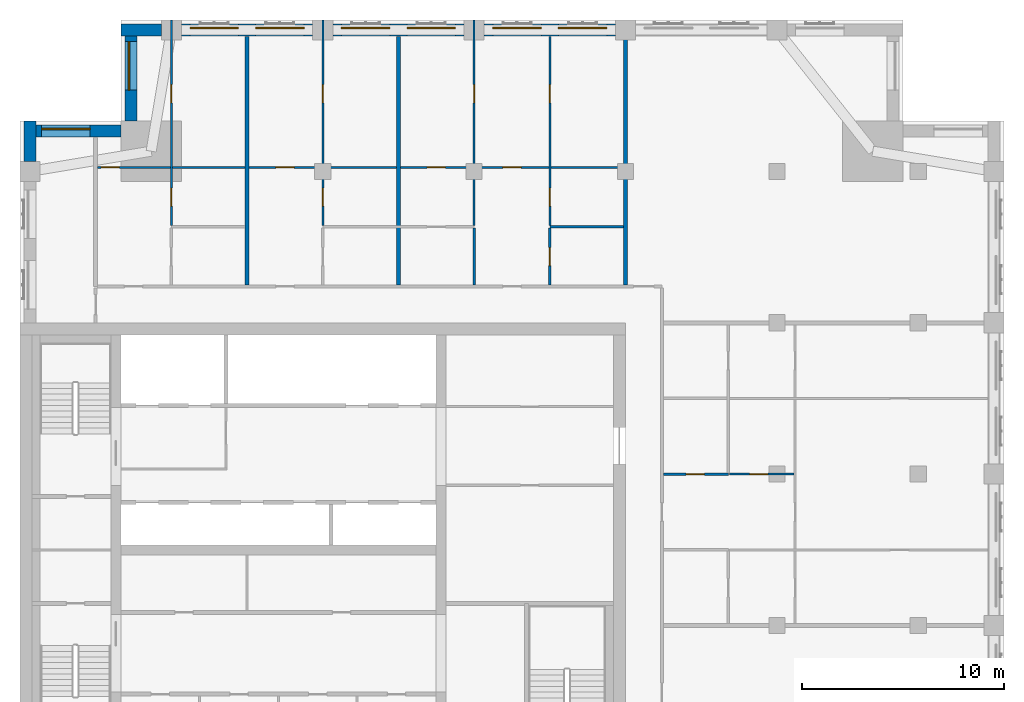
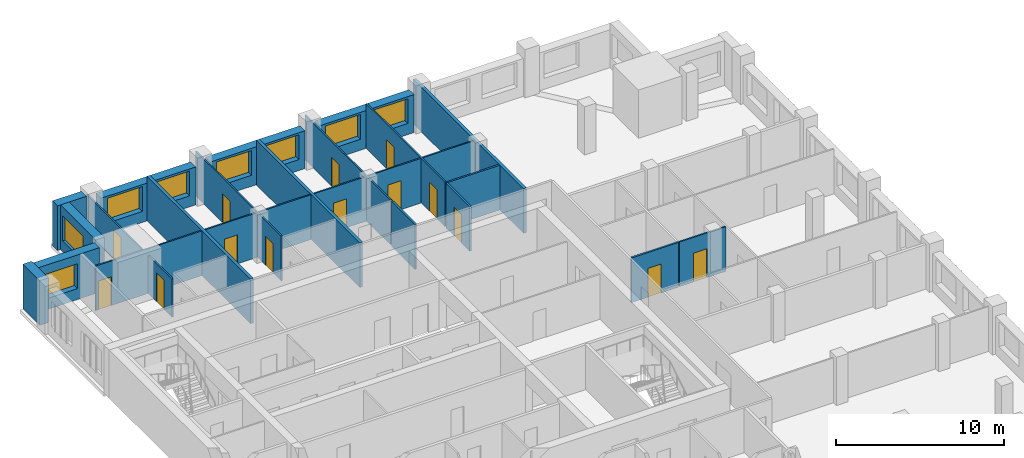
# One storey, part 7 of 11: 20 walls, 14 doors, 8 windows, 22 openings.
"""IFC4 building model written with IfcOpenShell, lengths in metres."""

from ifc_helpers import new_model, si_unit, direction, frame, frame_2d, origin, place, context, subcontext, project, spatial, rectangle, extrude, material, layer, layer_set, type_object, element, fill, save


model = new_model("IFC4")

# Units and contexts
model_context = context("Model", 3, precision=1e-05, world=origin(), true_north=direction((0.0, 1.0)))
body_context = subcontext(model_context, "Body", "Model", "MODEL_VIEW")
ifc_project = project(units=[si_unit("LENGTHUNIT", "METRE"), si_unit("AREAUNIT", "SQUARE_METRE"), si_unit("VOLUMEUNIT", "CUBIC_METRE"), si_unit("PLANEANGLEUNIT", "RADIAN"), si_unit("MASSUNIT", "GRAM", prefix="KILO")], contexts=[model_context])

# Site, building, storey
site_placement = place(None, origin())
site = spatial("IfcSite", under=ifc_project, at=site_placement, CompositionType="ELEMENT")
building_placement = place(site_placement, origin())
building = spatial("IfcBuilding", under=site, at=building_placement, Name="Tamorin Gate", CompositionType="ELEMENT")
storey_placement = place(building_placement, frame((0.0, 0.0, 244.199951171875)))
storey = spatial("IfcBuildingStorey", under=building, at=storey_placement, Name="L61", CompositionType="ELEMENT", Elevation=244.199951171875)

# Wall, openings, windows
ifc_material_1 = material(Name="Precast concrete C40/50", Category="concrete")
ifc_layer_1 = layer(ifc_material_1, 0.60009765625)
ifc_layer_set_1 = layer_set([ifc_layer_1], Name="Precast concrete C40/50")
wall_type_1 = type_object("IfcWallType", Name="Board-marked concrete facade panel 600", PredefinedType="SOLIDWALL", material=ifc_layer_set_1)
wall_1_placement = place(storey_placement, frame((59.5, 97.0, 0.0), z_axis=(0.0, 0.0, 1.0), x_axis=(-1.0, 0.0, 0.0)))
wall_1 = element("IfcWall", 1, at=wall_1_placement, inside=storey, type_object=wall_type_1, Name="Facade panel", PredefinedType="SOLIDWALL", context=body_context, shape_type="SweptSolid", body=[
    extrude(rectangle(XDim=6.5, YDim=0.60009765625, at=frame_2d((3.25, 0.0))), origin(), (0.0, 0.0, 1.0), 2.75),
])
opening_1_placement = place(wall_1_placement, frame((3.675048828125, 0.0, 0.800048828125)))
opening_1 = element("IfcOpeningElement", 2, at=opening_1_placement, cuts=wall_1, Name="Opening WN1", PredefinedType="OPENING", context=body_context, shape_type="SweptSolid", body=[
    extrude(rectangle(XDim=2.39990234375, YDim=1.800048828125, at=frame_2d((1.199951171875, 0.89990234375))), frame((0.0, 0.31005859375, 0.0), z_axis=(0.0, -1.0, 0.0), x_axis=(1.0, 0.0, 0.0)), (0.0, 0.0, 1.0), 0.6201171875),
])
opening_2_placement = place(wall_1_placement, frame((0.425048828125, 0.0, 0.800048828125)))
opening_2 = element("IfcOpeningElement", 3, at=opening_2_placement, cuts=wall_1, Name="Opening WN1", PredefinedType="OPENING", context=body_context, shape_type="SweptSolid", body=[
    extrude(rectangle(XDim=2.39990234375, YDim=1.800048828125, at=frame_2d((1.199951171875, 0.89990234375))), frame((0.0, 0.31005859375, 0.0), z_axis=(0.0, -1.0, 0.0), x_axis=(1.0, 0.0, 0.0)), (0.0, 0.0, 1.0), 0.6201171875),
])
ifc_material_2 = material(Name="Clear glass in aluminium frame", Category="aluminium")
window_type = type_object("IfcWindowType", Name="Deep-set window 2400x1800", PartitioningType="SINGLE_PANEL", PredefinedType="WINDOW", material=ifc_material_2)
window_1_placement = place(opening_1_placement, origin())
window_1 = element("IfcWindow", 4, at=window_1_placement, inside=storey, type_object=window_type, Name="Deep-set window", OverallHeight=1.800048828125, OverallWidth=2.39990234375, PartitioningType="SINGLE_PANEL", PredefinedType="WINDOW", context=body_context, shape_type="SweptSolid", body=[
    extrude(rectangle(XDim=2.39990234375, YDim=1.800048828125, at=frame_2d((1.199951171875, 0.89990234375))), frame((0.0, -0.070068359375, 0.0), z_axis=(0.0, -1.0, 0.0), x_axis=(1.0, 0.0, 0.0)), (0.0, 0.0, 1.0), 0.06005859375),
])
fill(opening_1, window_1)
window_2_placement = place(opening_2_placement, origin())
window_2 = element("IfcWindow", 5, at=window_2_placement, inside=storey, type_object=window_type, Name="Deep-set window", OverallHeight=1.800048828125, OverallWidth=2.39990234375, PartitioningType="SINGLE_PANEL", PredefinedType="WINDOW", context=body_context, shape_type="SweptSolid", body=[
    extrude(rectangle(XDim=2.39990234375, YDim=1.800048828125, at=frame_2d((1.199951171875, 0.89990234375))), frame((0.0, -0.070068359375, 0.0), z_axis=(0.0, -1.0, 0.0), x_axis=(1.0, 0.0, 0.0)), (0.0, 0.0, 1.0), 0.06005859375),
])
fill(opening_2, window_2)

wall_2_placement = place(storey_placement, frame((52.0, 97.0, 0.0), z_axis=(0.0, 0.0, 1.0), x_axis=(-1.0, 0.0, 0.0)))
wall_2 = element("IfcWall", 6, at=wall_2_placement, inside=storey, type_object=wall_type_1, Name="Facade panel", PredefinedType="SOLIDWALL", context=body_context, shape_type="SweptSolid", body=[
    extrude(rectangle(XDim=6.5, YDim=0.60009765625, at=frame_2d((3.25, 0.0))), origin(), (0.0, 0.0, 1.0), 2.75),
])
opening_3_placement = place(wall_2_placement, frame((3.675048828125, 0.0, 0.800048828125)))
opening_3 = element("IfcOpeningElement", 7, at=opening_3_placement, cuts=wall_2, Name="Opening WN1", PredefinedType="OPENING", context=body_context, shape_type="SweptSolid", body=[
    extrude(rectangle(XDim=2.39990234375, YDim=1.800048828125, at=frame_2d((1.199951171875, 0.89990234375))), frame((0.0, 0.31005859375, 0.0), z_axis=(0.0, -1.0, 0.0), x_axis=(1.0, 0.0, 0.0)), (0.0, 0.0, 1.0), 0.6201171875),
])
opening_4_placement = place(wall_2_placement, frame((0.425048828125, 0.0, 0.800048828125)))
opening_4 = element("IfcOpeningElement", 8, at=opening_4_placement, cuts=wall_2, Name="Opening WN1", PredefinedType="OPENING", context=body_context, shape_type="SweptSolid", body=[
    extrude(rectangle(XDim=2.39990234375, YDim=1.800048828125, at=frame_2d((1.199951171875, 0.89990234375))), frame((0.0, 0.31005859375, 0.0), z_axis=(0.0, -1.0, 0.0), x_axis=(1.0, 0.0, 0.0)), (0.0, 0.0, 1.0), 0.6201171875),
])
window_3_placement = place(opening_3_placement, origin())
window_3 = element("IfcWindow", 9, at=window_3_placement, inside=storey, type_object=window_type, Name="Deep-set window", OverallHeight=1.800048828125, OverallWidth=2.39990234375, PartitioningType="SINGLE_PANEL", PredefinedType="WINDOW", context=body_context, shape_type="SweptSolid", body=[
    extrude(rectangle(XDim=2.39990234375, YDim=1.800048828125, at=frame_2d((1.199951171875, 0.89990234375))), frame((0.0, -0.070068359375, 0.0), z_axis=(0.0, -1.0, 0.0), x_axis=(1.0, 0.0, 0.0)), (0.0, 0.0, 1.0), 0.06005859375),
])
fill(opening_3, window_3)
window_4_placement = place(opening_4_placement, origin())
window_4 = element("IfcWindow", 10, at=window_4_placement, inside=storey, type_object=window_type, Name="Deep-set window", OverallHeight=1.800048828125, OverallWidth=2.39990234375, PartitioningType="SINGLE_PANEL", PredefinedType="WINDOW", context=body_context, shape_type="SweptSolid", body=[
    extrude(rectangle(XDim=2.39990234375, YDim=1.800048828125, at=frame_2d((1.199951171875, 0.89990234375))), frame((0.0, -0.070068359375, 0.0), z_axis=(0.0, -1.0, 0.0), x_axis=(1.0, 0.0, 0.0)), (0.0, 0.0, 1.0), 0.06005859375),
])
fill(opening_4, window_4)

wall_3_placement = place(storey_placement, frame((44.5, 97.0, 0.0), z_axis=(0.0, 0.0, 1.0), x_axis=(-1.0, 0.0, 0.0)))
wall_3 = element("IfcWall", 11, at=wall_3_placement, inside=storey, type_object=wall_type_1, Name="Facade panel", PredefinedType="SOLIDWALL", context=body_context, shape_type="SweptSolid", body=[
    extrude(rectangle(XDim=6.5, YDim=0.60009765625, at=frame_2d((3.25, 0.0))), origin(), (0.0, 0.0, 1.0), 2.75),
])
opening_5_placement = place(wall_3_placement, frame((3.675048828125, 0.0, 0.800048828125)))
opening_5 = element("IfcOpeningElement", 12, at=opening_5_placement, cuts=wall_3, Name="Opening WN1", PredefinedType="OPENING", context=body_context, shape_type="SweptSolid", body=[
    extrude(rectangle(XDim=2.39990234375, YDim=1.800048828125, at=frame_2d((1.199951171875, 0.89990234375))), frame((0.0, 0.31005859375, 0.0), z_axis=(0.0, -1.0, 0.0), x_axis=(1.0, 0.0, 0.0)), (0.0, 0.0, 1.0), 0.6201171875),
])
opening_6_placement = place(wall_3_placement, frame((0.425048828125, 0.0, 0.800048828125)))
opening_6 = element("IfcOpeningElement", 13, at=opening_6_placement, cuts=wall_3, Name="Opening WN1", PredefinedType="OPENING", context=body_context, shape_type="SweptSolid", body=[
    extrude(rectangle(XDim=2.39990234375, YDim=1.800048828125, at=frame_2d((1.199951171875, 0.89990234375))), frame((0.0, 0.31005859375, 0.0), z_axis=(0.0, -1.0, 0.0), x_axis=(1.0, 0.0, 0.0)), (0.0, 0.0, 1.0), 0.6201171875),
])
window_5_placement = place(opening_5_placement, origin())
window_5 = element("IfcWindow", 14, at=window_5_placement, inside=storey, type_object=window_type, Name="Deep-set window", OverallHeight=1.800048828125, OverallWidth=2.39990234375, PartitioningType="SINGLE_PANEL", PredefinedType="WINDOW", context=body_context, shape_type="SweptSolid", body=[
    extrude(rectangle(XDim=2.39990234375, YDim=1.800048828125, at=frame_2d((1.199951171875, 0.89990234375))), frame((0.0, -0.070068359375, 0.0), z_axis=(0.0, -1.0, 0.0), x_axis=(1.0, 0.0, 0.0)), (0.0, 0.0, 1.0), 0.06005859375),
])
fill(opening_5, window_5)
window_6_placement = place(opening_6_placement, origin())
window_6 = element("IfcWindow", 15, at=window_6_placement, inside=storey, type_object=window_type, Name="Deep-set window", OverallHeight=1.800048828125, OverallWidth=2.39990234375, PartitioningType="SINGLE_PANEL", PredefinedType="WINDOW", context=body_context, shape_type="SweptSolid", body=[
    extrude(rectangle(XDim=2.39990234375, YDim=1.800048828125, at=frame_2d((1.199951171875, 0.89990234375))), frame((0.0, -0.070068359375, 0.0), z_axis=(0.0, -1.0, 0.0), x_axis=(1.0, 0.0, 0.0)), (0.0, 0.0, 1.0), 0.06005859375),
])
fill(opening_6, window_6)

# Wall
wall_4_placement = place(storey_placement, frame((37.0, 97.0, 0.0), z_axis=(0.0, 0.0, 1.0), x_axis=(-1.0, 0.0, 0.0)))
element("IfcWall", 16, at=wall_4_placement, inside=storey, type_object=wall_type_1, Name="Facade panel", PredefinedType="SOLIDWALL", context=body_context, shape_type="SweptSolid", body=[
    extrude(rectangle(XDim=2.0, YDim=0.60009765625, at=frame_2d((1.0, 0.0))), origin(), (0.0, 0.0, 1.0), 3.25),
])

# Wall, opening, window
wall_5_placement = place(storey_placement, frame((35.5, 96.699951171875, 0.0), z_axis=(0.0, 0.0, 1.0), x_axis=(0.0, -1.0, 0.0)))
wall_5 = element("IfcWall", 17, at=wall_5_placement, inside=storey, type_object=wall_type_1, Name="Facade panel", PredefinedType="SOLIDWALL", context=body_context, shape_type="SweptSolid", body=[
    extrude(rectangle(XDim=4.199951171875, YDim=0.60009765625, at=frame_2d((2.10009765625, 0.0))), origin(), (0.0, 0.0, 1.0), 3.25),
])
opening_7_placement = place(wall_5_placement, frame((0.27490234375, 0.0, 0.800048828125)))
opening_7 = element("IfcOpeningElement", 18, at=opening_7_placement, cuts=wall_5, Name="Opening WN1", PredefinedType="OPENING", context=body_context, shape_type="SweptSolid", body=[
    extrude(rectangle(XDim=2.39990234375, YDim=1.800048828125, at=frame_2d((1.199951171875, 0.89990234375))), frame((0.0, 0.31005859375, 0.0), z_axis=(0.0, -1.0, 0.0), x_axis=(1.0, 0.0, 0.0)), (0.0, 0.0, 1.0), 0.6201171875),
])
window_7_placement = place(opening_7_placement, origin())
window_7 = element("IfcWindow", 19, at=window_7_placement, inside=storey, type_object=window_type, Name="Deep-set window", OverallHeight=1.800048828125, OverallWidth=2.39990234375, PartitioningType="SINGLE_PANEL", PredefinedType="WINDOW", context=body_context, shape_type="SweptSolid", body=[
    extrude(rectangle(XDim=2.39990234375, YDim=1.800048828125, at=frame_2d((1.199951171875, 0.89990234375))), frame((0.0, -0.070068359375, 0.0), z_axis=(0.0, -1.0, 0.0), x_axis=(1.0, 0.0, 0.0)), (0.0, 0.0, 1.0), 0.06005859375),
])
fill(opening_7, window_7)

wall_6_placement = place(storey_placement, frame((35.0, 92.0, 0.0), z_axis=(0.0, 0.0, 1.0), x_axis=(-1.0, 0.0, 0.0)))
wall_6 = element("IfcWall", 20, at=wall_6_placement, inside=storey, type_object=wall_type_1, Name="Facade panel", PredefinedType="SOLIDWALL", context=body_context, shape_type="SweptSolid", body=[
    extrude(rectangle(XDim=4.199951171875, YDim=0.60009765625, at=frame_2d((2.10009765625, 0.0))), origin(), (0.0, 0.0, 1.0), 3.25),
])
opening_8_placement = place(wall_6_placement, frame((1.52490234375, 0.0, 0.800048828125)))
opening_8 = element("IfcOpeningElement", 21, at=opening_8_placement, cuts=wall_6, Name="Opening WN1", PredefinedType="OPENING", context=body_context, shape_type="SweptSolid", body=[
    extrude(rectangle(XDim=2.39990234375, YDim=1.800048828125, at=frame_2d((1.199951171875, 0.89990234375))), frame((0.0, 0.31005859375, 0.0), z_axis=(0.0, -1.0, 0.0), x_axis=(1.0, 0.0, 0.0)), (0.0, 0.0, 1.0), 0.6201171875),
])
window_8_placement = place(opening_8_placement, origin())
window_8 = element("IfcWindow", 22, at=window_8_placement, inside=storey, type_object=window_type, Name="Deep-set window", OverallHeight=1.800048828125, OverallWidth=2.39990234375, PartitioningType="SINGLE_PANEL", PredefinedType="WINDOW", context=body_context, shape_type="SweptSolid", body=[
    extrude(rectangle(XDim=2.39990234375, YDim=1.800048828125, at=frame_2d((1.199951171875, 0.89990234375))), frame((0.0, -0.070068359375, 0.0), z_axis=(0.0, -1.0, 0.0), x_axis=(1.0, 0.0, 0.0)), (0.0, 0.0, 1.0), 0.06005859375),
])
fill(opening_8, window_8)

# Walls
wall_7_placement = place(storey_placement, frame((30.5, 92.5, 0.0), z_axis=(0.0, 0.0, 1.0), x_axis=(0.0, -1.0, 0.0)))
element("IfcWall", 23, at=wall_7_placement, inside=storey, type_object=wall_type_1, Name="Facade panel", PredefinedType="SOLIDWALL", context=body_context, shape_type="SweptSolid", body=[
    extrude(rectangle(XDim=2.0, YDim=0.60009765625, at=frame_2d((1.0, 0.0))), origin(), (0.0, 0.0, 1.0), 3.25),
])
ifc_material_3 = material(Name="Gypsum board partition")
ifc_layer_2 = layer(ifc_material_3, 0.199951171875)
ifc_layer_set_2 = layer_set([ifc_layer_2], Name="Demising wall 200")
wall_type_2 = type_object("IfcWallType", Name="Demising wall 200", PredefinedType="PARTITIONING", material=ifc_layer_set_2)
for number, where, z_axis, x_axis, name in (
    (24, (41.25, 84.375, 0.0), (0.0, 0.0, 1.0), (0.0, 1.0, 0.0), "Demising wall 200"),
    (25, (48.75, 84.375, 0.0), (0.0, 0.0, 1.0), (0.0, 1.0, 0.0), "Demising wall 200"),
):
    element("IfcWall", number, at=place(storey_placement, frame(where, z_axis=z_axis, x_axis=x_axis)), inside=storey, type_object=wall_type_2, Name=name, PredefinedType="PARTITIONING", context=body_context, shape_type="SweptSolid", body=[
        extrude(rectangle(XDim=12.31494140625, YDim=0.199951171875, at=frame_2d((6.157470703125, 0.0))), origin(), (0.0, 0.0, 1.0), 3.25),
    ])
wall_8_placement = place(storey_placement, frame((60.0, 84.375, 0.0), z_axis=(0.0, 0.0, 1.0), x_axis=(0.0, 1.0, 0.0)))
element("IfcWall", 26, at=wall_8_placement, inside=storey, type_object=wall_type_2, Name="Demising wall 200", PredefinedType="PARTITIONING", context=body_context, shape_type="SweptSolid", body=[
    extrude(rectangle(XDim=13.125, YDim=0.199951171875, at=frame_2d((6.5625, 0.0))), origin(), (0.0, 0.0, 1.0), 3.25),
])

# Wall, opening, door
ifc_layer_3 = layer(ifc_material_3, 0.10009765625)
ifc_layer_set_3 = layer_set([ifc_layer_3], Name="Room partition 100")
wall_type_3 = type_object("IfcWallType", Name="Room partition 100", PredefinedType="PARTITIONING", material=ifc_layer_set_3)
wall_9_placement = place(storey_placement, frame((65.16259765625, 75.0, 0.0), z_axis=(0.0, 0.0, 1.0), x_axis=(1.0, 0.0, 0.0)))
wall_9 = element("IfcWall", 27, at=wall_9_placement, inside=storey, type_object=wall_type_3, Name="Room partition 100", PredefinedType="PARTITIONING", context=body_context, shape_type="SweptSolid", body=[
    extrude(rectangle(XDim=3.1875, YDim=0.10009765625, at=frame_2d((1.59375, 0.0))), origin(), (0.0, 0.0, 1.0), 3.25),
])
opening_9_placement = place(wall_9_placement, frame((0.987548828125, 0.0, 0.0)))
opening_9 = element("IfcOpeningElement", 28, at=opening_9_placement, cuts=wall_9, Name="Opening DR7046", PredefinedType="OPENING", context=body_context, shape_type="SweptSolid", body=[
    extrude(rectangle(XDim=0.89990234375, YDim=2.10009765625, at=frame_2d((0.449951171875, 1.050048828125))), frame((0.0, 0.06005859375, 0.0), z_axis=(0.0, -1.0, 0.0), x_axis=(1.0, 0.0, 0.0)), (0.0, 0.0, 1.0), 0.1201171875),
])
ifc_material_4 = material(Name="Timber door leaf", Category="wood")
door_type = type_object("IfcDoorType", Name="Door 900 x 2100", OperationType="NOTDEFINED", PredefinedType="DOOR", material=ifc_material_4)
door_1_placement = place(opening_9_placement, origin())
door_1 = element("IfcDoor", 29, at=door_1_placement, inside=storey, type_object=door_type, Name="Door DR7046", OperationType="SINGLE_SWING_LEFT", OverallHeight=2.10009765625, OverallWidth=0.89990234375, PredefinedType="DOOR", context=body_context, shape_type="SweptSolid", body=[
    extrude(rectangle(XDim=0.89990234375, YDim=2.10009765625, at=frame_2d((0.449951171875, 1.050048828125))), frame((0.0, 0.02490234375, 0.0), z_axis=(0.0, -1.0, 0.0), x_axis=(1.0, 0.0, 0.0)), (0.0, 0.0, 1.0), 0.050048828125),
])
fill(opening_9, door_1)

# Wall, openings, doors
wall_10_placement = place(storey_placement, frame((33.85009765625, 90.199951171875, 0.0), z_axis=(0.0, 0.0, 1.0), x_axis=(1.0, 0.0, 0.0)))
wall_10 = element("IfcWall", 30, at=wall_10_placement, inside=storey, type_object=wall_type_3, Name="Room partition 100", PredefinedType="PARTITIONING", context=body_context, shape_type="SweptSolid", body=[
    extrude(rectangle(XDim=26.0498046875, YDim=0.10009765625, at=frame_2d((13.02490234375, 0.0))), origin(), (0.0, 0.0, 1.0), 3.25),
])
opening_10_placement = place(wall_10_placement, frame((0.175048828125, 0.0, 0.0)))
opening_10 = element("IfcOpeningElement", 31, at=opening_10_placement, cuts=wall_10, Name="Opening DR7023", PredefinedType="OPENING", context=body_context, shape_type="SweptSolid", body=[
    extrude(rectangle(XDim=0.89990234375, YDim=2.10009765625, at=frame_2d((0.449951171875, 1.050048828125))), frame((0.0, 0.06005859375, 0.0), z_axis=(0.0, -1.0, 0.0), x_axis=(1.0, 0.0, 0.0)), (0.0, 0.0, 1.0), 0.1201171875),
])
opening_11_placement = place(wall_10_placement, frame((8.824951171875, 0.0, 0.0)))
opening_11 = element("IfcOpeningElement", 32, at=opening_11_placement, cuts=wall_10, Name="Opening DR7028", PredefinedType="OPENING", context=body_context, shape_type="SweptSolid", body=[
    extrude(rectangle(XDim=0.89990234375, YDim=2.10009765625, at=frame_2d((0.449951171875, 1.050048828125))), frame((0.0, 0.06005859375, 0.0), z_axis=(0.0, -1.0, 0.0), x_axis=(1.0, 0.0, 0.0)), (0.0, 0.0, 1.0), 0.1201171875),
])
opening_12_placement = place(wall_10_placement, frame((16.324951171875, 0.0, 0.0)))
opening_12 = element("IfcOpeningElement", 33, at=opening_12_placement, cuts=wall_10, Name="Opening DR7032", PredefinedType="OPENING", context=body_context, shape_type="SweptSolid", body=[
    extrude(rectangle(XDim=0.89990234375, YDim=2.10009765625, at=frame_2d((0.449951171875, 1.050048828125))), frame((0.0, 0.06005859375, 0.0), z_axis=(0.0, -1.0, 0.0), x_axis=(1.0, 0.0, 0.0)), (0.0, 0.0, 1.0), 0.1201171875),
])
opening_13_placement = place(wall_10_placement, frame((20.074951171875, 0.0, 0.0)))
opening_13 = element("IfcOpeningElement", 34, at=opening_13_placement, cuts=wall_10, Name="Opening DR7035", PredefinedType="OPENING", context=body_context, shape_type="SweptSolid", body=[
    extrude(rectangle(XDim=0.89990234375, YDim=2.10009765625, at=frame_2d((0.449951171875, 1.050048828125))), frame((0.0, 0.06005859375, 0.0), z_axis=(0.0, -1.0, 0.0), x_axis=(1.0, 0.0, 0.0)), (0.0, 0.0, 1.0), 0.1201171875),
])
door_2_placement = place(opening_10_placement, origin())
door_2 = element("IfcDoor", 35, at=door_2_placement, inside=storey, type_object=door_type, Name="Door DR7023", OperationType="SINGLE_SWING_RIGHT", OverallHeight=2.10009765625, OverallWidth=0.89990234375, PredefinedType="DOOR", context=body_context, shape_type="SweptSolid", body=[
    extrude(rectangle(XDim=0.89990234375, YDim=2.10009765625, at=frame_2d((0.449951171875, 1.050048828125))), frame((0.0, 0.02490234375, 0.0), z_axis=(0.0, -1.0, 0.0), x_axis=(1.0, 0.0, 0.0)), (0.0, 0.0, 1.0), 0.050048828125),
])
fill(opening_10, door_2)
door_3_placement = place(opening_11_placement, origin())
door_3 = element("IfcDoor", 36, at=door_3_placement, inside=storey, type_object=door_type, Name="Door DR7028", OperationType="SINGLE_SWING_RIGHT", OverallHeight=2.10009765625, OverallWidth=0.89990234375, PredefinedType="DOOR", context=body_context, shape_type="SweptSolid", body=[
    extrude(rectangle(XDim=0.89990234375, YDim=2.10009765625, at=frame_2d((0.449951171875, 1.050048828125))), frame((0.0, 0.02490234375, 0.0), z_axis=(0.0, -1.0, 0.0), x_axis=(1.0, 0.0, 0.0)), (0.0, 0.0, 1.0), 0.050048828125),
])
fill(opening_11, door_3)
door_4_placement = place(opening_12_placement, origin())
door_4 = element("IfcDoor", 37, at=door_4_placement, inside=storey, type_object=door_type, Name="Door DR7032", OperationType="SINGLE_SWING_RIGHT", OverallHeight=2.10009765625, OverallWidth=0.89990234375, PredefinedType="DOOR", context=body_context, shape_type="SweptSolid", body=[
    extrude(rectangle(XDim=0.89990234375, YDim=2.10009765625, at=frame_2d((0.449951171875, 1.050048828125))), frame((0.0, 0.02490234375, 0.0), z_axis=(0.0, -1.0, 0.0), x_axis=(1.0, 0.0, 0.0)), (0.0, 0.0, 1.0), 0.050048828125),
])
fill(opening_12, door_4)
door_5_placement = place(opening_13_placement, origin())
door_5 = element("IfcDoor", 38, at=door_5_placement, inside=storey, type_object=door_type, Name="Door DR7035", OperationType="SINGLE_SWING_RIGHT", OverallHeight=2.10009765625, OverallWidth=0.89990234375, PredefinedType="DOOR", context=body_context, shape_type="SweptSolid", body=[
    extrude(rectangle(XDim=0.89990234375, YDim=2.10009765625, at=frame_2d((0.449951171875, 1.050048828125))), frame((0.0, 0.02490234375, 0.0), z_axis=(0.0, -1.0, 0.0), x_axis=(1.0, 0.0, 0.0)), (0.0, 0.0, 1.0), 0.050048828125),
])
fill(opening_13, door_5)

wall_11_placement = place(storey_placement, frame((37.5, 87.3125, 0.0), z_axis=(0.0, 0.0, 1.0), x_axis=(0.0, 1.0, 0.0)))
wall_11 = element("IfcWall", 39, at=wall_11_placement, inside=storey, type_object=wall_type_3, Name="Room partition 100", PredefinedType="PARTITIONING", context=body_context, shape_type="SweptSolid", body=[
    extrude(rectangle(XDim=10.1875, YDim=0.10009765625, at=frame_2d((5.09375, 0.0))), origin(), (0.0, 0.0, 1.0), 2.75),
])
opening_14_placement = place(wall_11_placement, frame((0.96240234375, 0.0, 0.0)))
opening_14 = element("IfcOpeningElement", 40, at=opening_14_placement, cuts=wall_11, Name="Opening DR7024", PredefinedType="OPENING", context=body_context, shape_type="SweptSolid", body=[
    extrude(rectangle(XDim=0.89990234375, YDim=2.10009765625, at=frame_2d((0.449951171875, 1.050048828125))), frame((0.0, 0.06005859375, 0.0), z_axis=(0.0, -1.0, 0.0), x_axis=(1.0, 0.0, 0.0)), (0.0, 0.0, 1.0), 0.1201171875),
])
opening_15_placement = place(wall_11_placement, frame((6.08740234375, 0.0, 0.0)))
opening_15 = element("IfcOpeningElement", 41, at=opening_15_placement, cuts=wall_11, Name="Opening DR7026", PredefinedType="OPENING", context=body_context, shape_type="SweptSolid", body=[
    extrude(rectangle(XDim=0.89990234375, YDim=2.10009765625, at=frame_2d((0.449951171875, 1.050048828125))), frame((0.0, 0.06005859375, 0.0), z_axis=(0.0, -1.0, 0.0), x_axis=(1.0, 0.0, 0.0)), (0.0, 0.0, 1.0), 0.1201171875),
])
door_6_placement = place(opening_14_placement, origin())
door_6 = element("IfcDoor", 42, at=door_6_placement, inside=storey, type_object=door_type, Name="Door DR7024", OperationType="SINGLE_SWING_RIGHT", OverallHeight=2.10009765625, OverallWidth=0.89990234375, PredefinedType="DOOR", context=body_context, shape_type="SweptSolid", body=[
    extrude(rectangle(XDim=0.89990234375, YDim=2.10009765625, at=frame_2d((0.449951171875, 1.050048828125))), frame((0.0, 0.02490234375, 0.0), z_axis=(0.0, -1.0, 0.0), x_axis=(1.0, 0.0, 0.0)), (0.0, 0.0, 1.0), 0.050048828125),
])
fill(opening_14, door_6)
door_7_placement = place(opening_15_placement, origin())
door_7 = element("IfcDoor", 43, at=door_7_placement, inside=storey, type_object=door_type, Name="Door DR7026", OperationType="SINGLE_SWING_LEFT", OverallHeight=2.10009765625, OverallWidth=0.89990234375, PredefinedType="DOOR", context=body_context, shape_type="SweptSolid", body=[
    extrude(rectangle(XDim=0.89990234375, YDim=2.10009765625, at=frame_2d((0.449951171875, 1.050048828125))), frame((0.0, 0.02490234375, 0.0), z_axis=(0.0, -1.0, 0.0), x_axis=(1.0, 0.0, 0.0)), (0.0, 0.0, 1.0), 0.050048828125),
])
fill(opening_15, door_7)

wall_12_placement = place(storey_placement, frame((45.0, 87.3125, 0.0), z_axis=(0.0, 0.0, 1.0), x_axis=(0.0, 1.0, 0.0)))
wall_12 = element("IfcWall", 44, at=wall_12_placement, inside=storey, type_object=wall_type_3, Name="Room partition 100", PredefinedType="PARTITIONING", context=body_context, shape_type="SweptSolid", body=[
    extrude(rectangle(XDim=10.1875, YDim=0.10009765625, at=frame_2d((5.09375, 0.0))), origin(), (0.0, 0.0, 1.0), 3.25),
])
opening_16_placement = place(wall_12_placement, frame((0.96240234375, 0.0, 0.0)))
opening_16 = element("IfcOpeningElement", 45, at=opening_16_placement, cuts=wall_12, Name="Opening DR7029", PredefinedType="OPENING", context=body_context, shape_type="SweptSolid", body=[
    extrude(rectangle(XDim=0.89990234375, YDim=2.10009765625, at=frame_2d((0.449951171875, 1.050048828125))), frame((0.0, 0.06005859375, 0.0), z_axis=(0.0, -1.0, 0.0), x_axis=(1.0, 0.0, 0.0)), (0.0, 0.0, 1.0), 0.1201171875),
])
opening_17_placement = place(wall_12_placement, frame((6.08740234375, 0.0, 0.0)))
opening_17 = element("IfcOpeningElement", 46, at=opening_17_placement, cuts=wall_12, Name="Opening DR7031", PredefinedType="OPENING", context=body_context, shape_type="SweptSolid", body=[
    extrude(rectangle(XDim=0.89990234375, YDim=2.10009765625, at=frame_2d((0.449951171875, 1.050048828125))), frame((0.0, 0.06005859375, 0.0), z_axis=(0.0, -1.0, 0.0), x_axis=(1.0, 0.0, 0.0)), (0.0, 0.0, 1.0), 0.1201171875),
])
door_8_placement = place(opening_16_placement, origin())
door_8 = element("IfcDoor", 47, at=door_8_placement, inside=storey, type_object=door_type, Name="Door DR7029", OperationType="SINGLE_SWING_RIGHT", OverallHeight=2.10009765625, OverallWidth=0.89990234375, PredefinedType="DOOR", context=body_context, shape_type="SweptSolid", body=[
    extrude(rectangle(XDim=0.89990234375, YDim=2.10009765625, at=frame_2d((0.449951171875, 1.050048828125))), frame((0.0, 0.02490234375, 0.0), z_axis=(0.0, -1.0, 0.0), x_axis=(1.0, 0.0, 0.0)), (0.0, 0.0, 1.0), 0.050048828125),
])
fill(opening_16, door_8)
door_9_placement = place(opening_17_placement, origin())
door_9 = element("IfcDoor", 48, at=door_9_placement, inside=storey, type_object=door_type, Name="Door DR7031", OperationType="SINGLE_SWING_LEFT", OverallHeight=2.10009765625, OverallWidth=0.89990234375, PredefinedType="DOOR", context=body_context, shape_type="SweptSolid", body=[
    extrude(rectangle(XDim=0.89990234375, YDim=2.10009765625, at=frame_2d((0.449951171875, 1.050048828125))), frame((0.0, 0.02490234375, 0.0), z_axis=(0.0, -1.0, 0.0), x_axis=(1.0, 0.0, 0.0)), (0.0, 0.0, 1.0), 0.050048828125),
])
fill(opening_17, door_9)

# Wall, opening, door
wall_13_placement = place(storey_placement, frame((52.5, 87.3125, 0.0), z_axis=(0.0, 0.0, 1.0), x_axis=(0.0, 1.0, 0.0)))
wall_13 = element("IfcWall", 49, at=wall_13_placement, inside=storey, type_object=wall_type_3, Name="Room partition 100", PredefinedType="PARTITIONING", context=body_context, shape_type="SweptSolid", body=[
    extrude(rectangle(XDim=10.1875, YDim=0.10009765625, at=frame_2d((5.09375, 0.0))), origin(), (0.0, 0.0, 1.0), 3.25),
])
opening_18_placement = place(wall_13_placement, frame((6.08740234375, 0.0, 0.0)))
opening_18 = element("IfcOpeningElement", 50, at=opening_18_placement, cuts=wall_13, Name="Opening DR7038", PredefinedType="OPENING", context=body_context, shape_type="SweptSolid", body=[
    extrude(rectangle(XDim=0.89990234375, YDim=2.10009765625, at=frame_2d((0.449951171875, 1.050048828125))), frame((0.0, 0.06005859375, 0.0), z_axis=(0.0, -1.0, 0.0), x_axis=(1.0, 0.0, 0.0)), (0.0, 0.0, 1.0), 0.1201171875),
])
door_10_placement = place(opening_18_placement, origin())
door_10 = element("IfcDoor", 51, at=door_10_placement, inside=storey, type_object=door_type, Name="Door DR7038", OperationType="SINGLE_SWING_LEFT", OverallHeight=2.10009765625, OverallWidth=0.89990234375, PredefinedType="DOOR", context=body_context, shape_type="SweptSolid", body=[
    extrude(rectangle(XDim=0.89990234375, YDim=2.10009765625, at=frame_2d((0.449951171875, 1.050048828125))), frame((0.0, 0.02490234375, 0.0), z_axis=(0.0, -1.0, 0.0), x_axis=(1.0, 0.0, 0.0)), (0.0, 0.0, 1.0), 0.050048828125),
])
fill(opening_18, door_10)

# Wall, openings, doors
wall_14_placement = place(storey_placement, frame((56.25, 87.3125, 0.0), z_axis=(0.0, 0.0, 1.0), x_axis=(0.0, 1.0, 0.0)))
wall_14 = element("IfcWall", 52, at=wall_14_placement, inside=storey, type_object=wall_type_3, Name="Room partition 100", PredefinedType="PARTITIONING", context=body_context, shape_type="SweptSolid", body=[
    extrude(rectangle(XDim=9.37744140625, YDim=0.10009765625, at=frame_2d((4.688720703125, 0.0))), origin(), (0.0, 0.0, 1.0), 3.25),
])
opening_19_placement = place(wall_14_placement, frame((0.96240234375, 0.0, 0.0)))
opening_19 = element("IfcOpeningElement", 53, at=opening_19_placement, cuts=wall_14, Name="Opening DR7036", PredefinedType="OPENING", context=body_context, shape_type="SweptSolid", body=[
    extrude(rectangle(XDim=0.89990234375, YDim=2.10009765625, at=frame_2d((0.449951171875, 1.050048828125))), frame((0.0, 0.06005859375, 0.0), z_axis=(0.0, -1.0, 0.0), x_axis=(1.0, 0.0, 0.0)), (0.0, 0.0, 1.0), 0.1201171875),
])
opening_20_placement = place(wall_14_placement, frame((6.08740234375, 0.0, 0.0)))
opening_20 = element("IfcOpeningElement", 54, at=opening_20_placement, cuts=wall_14, Name="Opening DR7039", PredefinedType="OPENING", context=body_context, shape_type="SweptSolid", body=[
    extrude(rectangle(XDim=0.89990234375, YDim=2.10009765625, at=frame_2d((0.449951171875, 1.050048828125))), frame((0.0, 0.06005859375, 0.0), z_axis=(0.0, -1.0, 0.0), x_axis=(1.0, 0.0, 0.0)), (0.0, 0.0, 1.0), 0.1201171875),
])
door_11_placement = place(opening_19_placement, origin())
door_11 = element("IfcDoor", 55, at=door_11_placement, inside=storey, type_object=door_type, Name="Door DR7036", OperationType="SINGLE_SWING_RIGHT", OverallHeight=2.10009765625, OverallWidth=0.89990234375, PredefinedType="DOOR", context=body_context, shape_type="SweptSolid", body=[
    extrude(rectangle(XDim=0.89990234375, YDim=2.10009765625, at=frame_2d((0.449951171875, 1.050048828125))), frame((0.0, 0.02490234375, 0.0), z_axis=(0.0, -1.0, 0.0), x_axis=(1.0, 0.0, 0.0)), (0.0, 0.0, 1.0), 0.050048828125),
])
fill(opening_19, door_11)
door_12_placement = place(opening_20_placement, origin())
door_12 = element("IfcDoor", 56, at=door_12_placement, inside=storey, type_object=door_type, Name="Door DR7039", OperationType="SINGLE_SWING_LEFT", OverallHeight=2.10009765625, OverallWidth=0.89990234375, PredefinedType="DOOR", context=body_context, shape_type="SweptSolid", body=[
    extrude(rectangle(XDim=0.89990234375, YDim=2.10009765625, at=frame_2d((0.449951171875, 1.050048828125))), frame((0.0, 0.02490234375, 0.0), z_axis=(0.0, -1.0, 0.0), x_axis=(1.0, 0.0, 0.0)), (0.0, 0.0, 1.0), 0.050048828125),
])
fill(opening_20, door_12)

# Wall, opening, door
ifc_layer_4 = layer(ifc_material_3, 0.125)
ifc_layer_set_4 = layer_set([ifc_layer_4], Name="Wet wall 125")
wall_type_4 = type_object("IfcWallType", Name="Wet wall 125", PredefinedType="PARTITIONING", material=ifc_layer_set_4)
wall_15_placement = place(storey_placement, frame((61.875, 75.0, 0.0), z_axis=(0.0, 0.0, 1.0), x_axis=(1.0, 0.0, 0.0)))
wall_15 = element("IfcWall", 57, at=wall_15_placement, inside=storey, type_object=wall_type_4, Name="Wet wall 125", PredefinedType="PARTITIONING", context=body_context, shape_type="SweptSolid", body=[
    extrude(rectangle(XDim=3.22509765625, YDim=0.125, at=frame_2d((1.612548828125, 0.0))), origin(), (0.0, 0.0, 1.0), 3.25),
])
opening_21_placement = place(wall_15_placement, frame((1.125, 0.0, 0.0)))
opening_21 = element("IfcOpeningElement", 58, at=opening_21_placement, cuts=wall_15, Name="Opening DR7047", PredefinedType="OPENING", context=body_context, shape_type="SweptSolid", body=[
    extrude(rectangle(XDim=0.89990234375, YDim=2.10009765625, at=frame_2d((0.449951171875, 1.050048828125))), frame((0.0, 0.072509765625, 0.0), z_axis=(0.0, -1.0, 0.0), x_axis=(1.0, 0.0, 0.0)), (0.0, 0.0, 1.0), 0.14501953125),
])
door_13_placement = place(opening_21_placement, origin())
door_13 = element("IfcDoor", 59, at=door_13_placement, inside=storey, type_object=door_type, Name="Door DR7047", OperationType="SINGLE_SWING_RIGHT", OverallHeight=2.10009765625, OverallWidth=0.89990234375, PredefinedType="DOOR", context=body_context, shape_type="SweptSolid", body=[
    extrude(rectangle(XDim=0.89990234375, YDim=2.10009765625, at=frame_2d((0.449951171875, 1.050048828125))), frame((0.0, 0.02490234375, 0.0), z_axis=(0.0, -1.0, 0.0), x_axis=(1.0, 0.0, 0.0)), (0.0, 0.0, 1.0), 0.050048828125),
])
fill(opening_21, door_13)

# Walls
wall_16_placement = place(storey_placement, frame((56.25, 87.25, 0.0), z_axis=(0.0, 0.0, 1.0), x_axis=(1.0, 0.0, 0.0)))
element("IfcWall", 60, at=wall_16_placement, inside=storey, type_object=wall_type_4, Name="Wet wall 125", PredefinedType="PARTITIONING", context=body_context, shape_type="SweptSolid", body=[
    extrude(rectangle(XDim=3.64990234375, YDim=0.125, at=frame_2d((1.824951171875, 0.0))), origin(), (0.0, 0.0, 1.0), 3.25),
])
wall_17_placement = place(storey_placement, frame((52.5, 84.375, 0.0), z_axis=(0.0, 0.0, 1.0), x_axis=(0.0, 1.0, 0.0)))
element("IfcWall", 61, at=wall_17_placement, inside=storey, type_object=wall_type_4, Name="Wet wall 125", PredefinedType="PARTITIONING", context=body_context, shape_type="SweptSolid", body=[
    extrude(rectangle(XDim=2.8125, YDim=0.125, at=frame_2d((1.40625, 0.0))), origin(), (0.0, 0.0, 1.0), 3.25),
])

# Wall, opening, door
wall_18_placement = place(storey_placement, frame((56.25, 84.375, 0.0), z_axis=(0.0, 0.0, 1.0), x_axis=(0.0, 1.0, 0.0)))
wall_18 = element("IfcWall", 62, at=wall_18_placement, inside=storey, type_object=wall_type_4, Name="Wet wall 125", PredefinedType="PARTITIONING", context=body_context, shape_type="SweptSolid", body=[
    extrude(rectangle(XDim=2.8125, YDim=0.125, at=frame_2d((1.40625, 0.0))), origin(), (0.0, 0.0, 1.0), 3.25),
])
opening_22_placement = place(wall_18_placement, frame((0.949951171875, 0.0, 0.0)))
opening_22 = element("IfcOpeningElement", 63, at=opening_22_placement, cuts=wall_18, Name="Opening DR7037", PredefinedType="OPENING", context=body_context, shape_type="SweptSolid", body=[
    extrude(rectangle(XDim=0.89990234375, YDim=2.10009765625, at=frame_2d((0.449951171875, 1.050048828125))), frame((0.0, 0.072509765625, 0.0), z_axis=(0.0, -1.0, 0.0), x_axis=(1.0, 0.0, 0.0)), (0.0, 0.0, 1.0), 0.14501953125),
])
door_14_placement = place(opening_22_placement, origin())
door_14 = element("IfcDoor", 64, at=door_14_placement, inside=storey, type_object=door_type, Name="Door DR7037", OperationType="SINGLE_SWING_RIGHT", OverallHeight=2.10009765625, OverallWidth=0.89990234375, PredefinedType="DOOR", context=body_context, shape_type="SweptSolid", body=[
    extrude(rectangle(XDim=0.89990234375, YDim=2.10009765625, at=frame_2d((0.449951171875, 1.050048828125))), frame((0.0, 0.02490234375, 0.0), z_axis=(0.0, -1.0, 0.0), x_axis=(1.0, 0.0, 0.0)), (0.0, 0.0, 1.0), 0.050048828125),
])
fill(opening_22, door_14)

save(model, "model.ifc")
